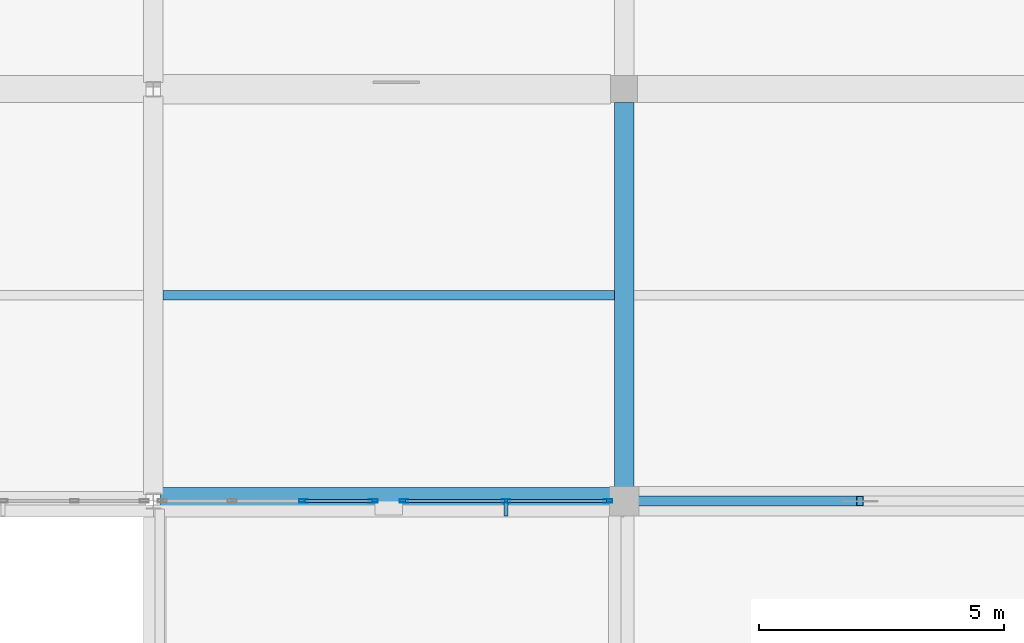
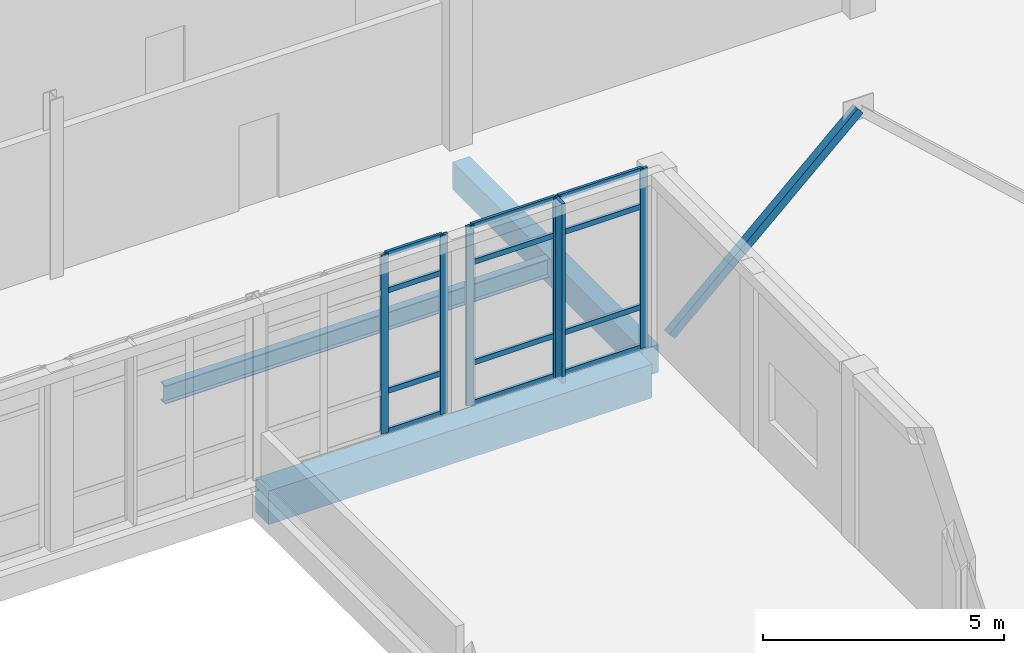
# One storey, part 46 of 88: 19 members, 3 beams, 2 elements without a shape of their own.
"""IFC4 building model written with IfcOpenShell, lengths in metres."""

from ifc_helpers import new_model, si_unit, direction, frame, origin, origin_2d, place, context, subcontext, project, spatial, rectangle, hollow_rectangle, i_section, extrude, material, layer, layer_set, material_profile, profile_set, type_object, element, aggregate, save


model = new_model("IFC4")

# Units and contexts
model_context = context("Model", 3, precision=1e-05, world=origin(), true_north=direction((0.0, 1.0)))
body_context = subcontext(model_context, "Body", "Model", "MODEL_VIEW")
ifc_project = project(units=[si_unit("LENGTHUNIT", "METRE"), si_unit("AREAUNIT", "SQUARE_METRE"), si_unit("VOLUMEUNIT", "CUBIC_METRE"), si_unit("PLANEANGLEUNIT", "RADIAN"), si_unit("MASSUNIT", "GRAM", prefix="KILO")], contexts=[model_context])

# Site, building, storey
site_placement = place(None, origin())
site = spatial("IfcSite", under=ifc_project, at=site_placement, CompositionType="ELEMENT")
building_placement = place(site_placement, origin())
building = spatial("IfcBuilding", under=site, at=building_placement, Name="Lornevale Opera House", CompositionType="ELEMENT")
storey_placement = place(building_placement, frame((0.0, 0.0, 10.199951171875)))
storey = spatial("IfcBuildingStorey", under=building, at=storey_placement, Name="L03", CompositionType="ELEMENT", Elevation=10.199951171875)

# Beams
ifc_material_1 = material(Name="Concrete 35 MPa (CSA A23.1 N)", Category="concrete")
ifc_material_profile_1 = material_profile(ifc_material_1, rectangle(XDim=0.39990234375, YDim=0.699951171875, at=origin_2d()), Name="RC400x700")
ifc_profile_set_1 = profile_set([ifc_material_profile_1], Name="Concrete 35 MPa (CSA A23.1 N)")
beam_type_1 = type_object("IfcBeamType", Name="Concrete Floor Beam 400x700", PredefinedType="USERDEFINED", material=ifc_profile_set_1)
beam_1_placement = place(storey_placement, frame((38.39990234375, 67.47509765625, -0.639892578125), z_axis=(0.0, 1.0, 0.0), x_axis=(-1.0, 0.0, 0.0)))
element("IfcBeam", 1, at=beam_1_placement, inside=storey, type_object=beam_type_1, Name="Concrete Floor Beam 400x700 2265", ObjectType="GIRDER", PredefinedType="USERDEFINED", context=body_context, shape_type="SweptSolid", body=[
    extrude(rectangle(XDim=0.39990234375, YDim=0.699951171875, at=origin_2d()), origin(), (0.0, 0.0, 1.0), 7.849853515625),
])
ifc_material_profile_2 = material_profile(ifc_material_1, rectangle(XDim=0.550048828125, YDim=0.85009765625, at=origin_2d()), Name="RC550x850")
ifc_profile_set_2 = profile_set([ifc_material_profile_2], Name="Concrete 35 MPa (CSA A23.1 N)")
beam_type_2 = type_object("IfcBeamType", Name="Concrete Primary Girder 550x850", PredefinedType="USERDEFINED", material=ifc_profile_set_2)
beam_2_placement = place(storey_placement, frame((28.947021484375, 67.199951171875, -0.71484375), z_axis=(1.0, 0.0, 0.0), x_axis=(0.0, 1.0, 0.0)))
element("IfcBeam", 2, at=beam_2_placement, inside=storey, type_object=beam_type_2, Name="Concrete Primary Girder 550x850 2167", ObjectType="GIRDER", PredefinedType="USERDEFINED", context=body_context, shape_type="SweptSolid", body=[
    extrude(rectangle(XDim=0.550048828125, YDim=0.85009765625, at=origin_2d()), origin(), (0.0, 0.0, 1.0), 9.177978515625),
])

# Curtain wall, members
ifc_material_2 = material(Name="Anodized Oxide-Green Aluminium Framing", Category="aluminium")
ifc_layer = layer(ifc_material_2, 0.175048828125)
ifc_layer_set = layer_set([ifc_layer], Name="Anodized Oxide-Green Aluminium Framing")
curtain_wall_type = type_object("IfcCurtainWallType", Name="Chamber Cloister Curtain Wall M1700", PredefinedType="NOTDEFINED", material=ifc_layer_set)
curtain_wall_1_placement = place(storey_placement, origin())
curtain_wall_1 = element("IfcCurtainWall", 3, at=curtain_wall_1_placement, inside=storey, type_object=curtain_wall_type, Name="Chamber Cloister Curtain Wall M1700 CW-124", PredefinedType="NOTDEFINED")
ifc_material_profile_3 = material_profile(ifc_material_2, hollow_rectangle(XDim=0.06494140625, YDim=0.179931640625, WallThickness=0.0048828125, at=origin_2d()), Name="ALU65x180x5")
ifc_profile_set_3 = profile_set([ifc_material_profile_3], Name="Anodized Oxide-Green Aluminium Framing")
member_type_1 = type_object("IfcMemberType", Name="Curtain Wall Mullion 65x180", PredefinedType="MULLION", material=ifc_profile_set_3)
member_1_placement = place(storey_placement, frame((38.071533203125, 67.199951171875, 0.0), z_axis=(0.0, 0.0, 1.0), x_axis=(0.0, -1.0, 0.0)))
member_1 = element("IfcMember", 4, at=member_1_placement, type_object=member_type_1, Name="Curtain Wall Mullion 65x180 CW2572", PredefinedType="MULLION", context=body_context, shape_type="SweptSolid", body=[
    extrude(hollow_rectangle(XDim=0.06494140625, YDim=0.179931640625, WallThickness=0.0048828125, at=origin_2d()), origin(), (0.0, 0.0, 1.0), 4.5400390625),
])
member_2_placement = place(storey_placement, frame((35.991943359375, 67.199951171875, 0.0), z_axis=(0.0, 0.0, 1.0), x_axis=(0.0, -1.0, 0.0)))
member_2 = element("IfcMember", 5, at=member_2_placement, type_object=member_type_1, Name="Curtain Wall Mullion 65x180 CW2573", PredefinedType="MULLION", context=body_context, shape_type="SweptSolid", body=[
    extrude(hollow_rectangle(XDim=0.06494140625, YDim=0.179931640625, WallThickness=0.0048828125, at=origin_2d()), origin(), (0.0, 0.0, 1.0), 4.5400390625),
])
member_3_placement = place(storey_placement, frame((33.91259765625, 67.199951171875, 0.0), z_axis=(0.0, 0.0, 1.0), x_axis=(0.0, -1.0, 0.0)))
member_3 = element("IfcMember", 6, at=member_3_placement, type_object=member_type_1, Name="Curtain Wall Mullion 65x180 CW2574", PredefinedType="MULLION", context=body_context, shape_type="SweptSolid", body=[
    extrude(hollow_rectangle(XDim=0.06494140625, YDim=0.179931640625, WallThickness=0.0048828125, at=origin_2d()), origin(), (0.0, 0.0, 1.0), 4.5400390625),
])

curtain_wall_2_placement = place(storey_placement, origin())
curtain_wall_2 = element("IfcCurtainWall", 7, at=curtain_wall_2_placement, inside=storey, type_object=curtain_wall_type, Name="Chamber Cloister Curtain Wall M1700 CW-125", PredefinedType="NOTDEFINED")
member_4_placement = place(storey_placement, frame((33.28759765625, 67.199951171875, 0.0), z_axis=(0.0, 0.0, 1.0), x_axis=(0.0, -1.0, 0.0)))
member_4 = element("IfcMember", 8, at=member_4_placement, type_object=member_type_1, Name="Curtain Wall Mullion 65x180 CW2589", PredefinedType="MULLION", context=body_context, shape_type="SweptSolid", body=[
    extrude(hollow_rectangle(XDim=0.06494140625, YDim=0.179931640625, WallThickness=0.0048828125, at=origin_2d()), origin(), (0.0, 0.0, 1.0), 4.5400390625),
])
member_5_placement = place(storey_placement, frame((31.863525390625, 67.199951171875, 0.0), z_axis=(0.0, 0.0, 1.0), x_axis=(0.0, -1.0, 0.0)))
member_5 = element("IfcMember", 9, at=member_5_placement, type_object=member_type_1, Name="Curtain Wall Mullion 65x180 CW2590", PredefinedType="MULLION", context=body_context, shape_type="SweptSolid", body=[
    extrude(hollow_rectangle(XDim=0.06494140625, YDim=0.179931640625, WallThickness=0.0048828125, at=origin_2d()), origin(), (0.0, 0.0, 1.0), 4.5400390625),
])

# Member
ifc_material_profile_4 = material_profile(ifc_material_2, hollow_rectangle(XDim=0.06494140625, YDim=0.135009765625, WallThickness=0.00390625, at=origin_2d()), Name="ALU65x135x4")
ifc_profile_set_4 = profile_set([ifc_material_profile_4], Name="Anodized Oxide-Green Aluminium Framing")
member_type_2 = type_object("IfcMemberType", Name="Curtain Wall Transom 65x135", PredefinedType="USERDEFINED", material=ifc_profile_set_4)
member_6_placement = place(storey_placement, frame((38.0390625, 67.199951171875, 0.032470703125), z_axis=(-1.0, 0.0, 0.0), x_axis=(0.0, -1.0, 0.0)))
member_6 = element("IfcMember", 10, at=member_6_placement, type_object=member_type_2, Name="Curtain Wall Transom 65x135 CW2575", ObjectType="TRANSOM", PredefinedType="USERDEFINED", context=body_context, shape_type="SweptSolid", body=[
    extrude(hollow_rectangle(XDim=0.06494140625, YDim=0.135009765625, WallThickness=0.00390625, at=origin_2d()), origin(), (0.0, 0.0, 1.0), 2.0146484375),
])

member_7_placement = place(storey_placement, frame((38.0390625, 67.199951171875, 1.050048828125), z_axis=(-1.0, 0.0, 0.0), x_axis=(0.0, -1.0, 0.0)))
member_7 = element("IfcMember", 11, at=member_7_placement, type_object=member_type_2, Name="Curtain Wall Transom 65x135 CW2576", ObjectType="TRANSOM", PredefinedType="USERDEFINED", context=body_context, shape_type="SweptSolid", body=[
    extrude(hollow_rectangle(XDim=0.06494140625, YDim=0.135009765625, WallThickness=0.00390625, at=origin_2d()), origin(), (0.0, 0.0, 1.0), 2.0146484375),
])

member_8_placement = place(storey_placement, frame((38.0390625, 67.199951171875, 3.590087890625), z_axis=(-1.0, 0.0, 0.0), x_axis=(0.0, -1.0, 0.0)))
member_8 = element("IfcMember", 12, at=member_8_placement, type_object=member_type_2, Name="Curtain Wall Transom 65x135 CW2577", ObjectType="TRANSOM", PredefinedType="USERDEFINED", context=body_context, shape_type="SweptSolid", body=[
    extrude(hollow_rectangle(XDim=0.06494140625, YDim=0.135009765625, WallThickness=0.00390625, at=origin_2d()), origin(), (0.0, 0.0, 1.0), 2.0146484375),
])

member_9_placement = place(storey_placement, frame((38.0390625, 67.199951171875, 4.507568359375), z_axis=(-1.0, 0.0, 0.0), x_axis=(0.0, -1.0, 0.0)))
member_9 = element("IfcMember", 13, at=member_9_placement, type_object=member_type_2, Name="Curtain Wall Transom 65x135 CW2578", ObjectType="TRANSOM", PredefinedType="USERDEFINED", context=body_context, shape_type="SweptSolid", body=[
    extrude(hollow_rectangle(XDim=0.06494140625, YDim=0.135009765625, WallThickness=0.00390625, at=origin_2d()), origin(), (0.0, 0.0, 1.0), 2.0146484375),
])

member_10_placement = place(storey_placement, frame((35.95947265625, 67.199951171875, 0.032470703125), z_axis=(-1.0, 0.0, 0.0), x_axis=(0.0, -1.0, 0.0)))
member_10 = element("IfcMember", 14, at=member_10_placement, type_object=member_type_2, Name="Curtain Wall Transom 65x135 CW2582", ObjectType="TRANSOM", PredefinedType="USERDEFINED", context=body_context, shape_type="SweptSolid", body=[
    extrude(hollow_rectangle(XDim=0.06494140625, YDim=0.135009765625, WallThickness=0.00390625, at=origin_2d()), origin(), (0.0, 0.0, 1.0), 2.014404296875),
])

member_11_placement = place(storey_placement, frame((35.95947265625, 67.199951171875, 1.050048828125), z_axis=(-1.0, 0.0, 0.0), x_axis=(0.0, -1.0, 0.0)))
member_11 = element("IfcMember", 15, at=member_11_placement, type_object=member_type_2, Name="Curtain Wall Transom 65x135 CW2583", ObjectType="TRANSOM", PredefinedType="USERDEFINED", context=body_context, shape_type="SweptSolid", body=[
    extrude(hollow_rectangle(XDim=0.06494140625, YDim=0.135009765625, WallThickness=0.00390625, at=origin_2d()), origin(), (0.0, 0.0, 1.0), 2.014404296875),
])

member_12_placement = place(storey_placement, frame((35.95947265625, 67.199951171875, 3.590087890625), z_axis=(-1.0, 0.0, 0.0), x_axis=(0.0, -1.0, 0.0)))
member_12 = element("IfcMember", 16, at=member_12_placement, type_object=member_type_2, Name="Curtain Wall Transom 65x135 CW2584", ObjectType="TRANSOM", PredefinedType="USERDEFINED", context=body_context, shape_type="SweptSolid", body=[
    extrude(hollow_rectangle(XDim=0.06494140625, YDim=0.135009765625, WallThickness=0.00390625, at=origin_2d()), origin(), (0.0, 0.0, 1.0), 2.014404296875),
])

member_13_placement = place(storey_placement, frame((35.95947265625, 67.199951171875, 4.507568359375), z_axis=(-1.0, 0.0, 0.0), x_axis=(0.0, -1.0, 0.0)))
member_13 = element("IfcMember", 17, at=member_13_placement, type_object=member_type_2, Name="Curtain Wall Transom 65x135 CW2585", ObjectType="TRANSOM", PredefinedType="USERDEFINED", context=body_context, shape_type="SweptSolid", body=[
    extrude(hollow_rectangle(XDim=0.06494140625, YDim=0.135009765625, WallThickness=0.00390625, at=origin_2d()), origin(), (0.0, 0.0, 1.0), 2.014404296875),
])

member_14_placement = place(storey_placement, frame((33.2548828125, 67.199951171875, 0.032470703125), z_axis=(-1.0, 0.0, 0.0), x_axis=(0.0, -1.0, 0.0)))
member_14 = element("IfcMember", 18, at=member_14_placement, type_object=member_type_2, Name="Curtain Wall Transom 65x135 CW2593", ObjectType="TRANSOM", PredefinedType="USERDEFINED", context=body_context, shape_type="SweptSolid", body=[
    extrude(hollow_rectangle(XDim=0.06494140625, YDim=0.135009765625, WallThickness=0.00390625, at=origin_2d()), origin(), (0.0, 0.0, 1.0), 1.35888671875),
])

member_15_placement = place(storey_placement, frame((33.2548828125, 67.199951171875, 1.050048828125), z_axis=(-1.0, 0.0, 0.0), x_axis=(0.0, -1.0, 0.0)))
member_15 = element("IfcMember", 19, at=member_15_placement, type_object=member_type_2, Name="Curtain Wall Transom 65x135 CW2594", ObjectType="TRANSOM", PredefinedType="USERDEFINED", context=body_context, shape_type="SweptSolid", body=[
    extrude(hollow_rectangle(XDim=0.06494140625, YDim=0.135009765625, WallThickness=0.00390625, at=origin_2d()), origin(), (0.0, 0.0, 1.0), 1.35888671875),
])

member_16_placement = place(storey_placement, frame((33.2548828125, 67.199951171875, 3.590087890625), z_axis=(-1.0, 0.0, 0.0), x_axis=(0.0, -1.0, 0.0)))
member_16 = element("IfcMember", 20, at=member_16_placement, type_object=member_type_2, Name="Curtain Wall Transom 65x135 CW2595", ObjectType="TRANSOM", PredefinedType="USERDEFINED", context=body_context, shape_type="SweptSolid", body=[
    extrude(hollow_rectangle(XDim=0.06494140625, YDim=0.135009765625, WallThickness=0.00390625, at=origin_2d()), origin(), (0.0, 0.0, 1.0), 1.35888671875),
])

member_17_placement = place(storey_placement, frame((33.2548828125, 67.199951171875, 4.507568359375), z_axis=(-1.0, 0.0, 0.0), x_axis=(0.0, -1.0, 0.0)))
member_17 = element("IfcMember", 21, at=member_17_placement, type_object=member_type_2, Name="Curtain Wall Transom 65x135 CW2596", ObjectType="TRANSOM", PredefinedType="USERDEFINED", context=body_context, shape_type="SweptSolid", body=[
    extrude(hollow_rectangle(XDim=0.06494140625, YDim=0.135009765625, WallThickness=0.00390625, at=origin_2d()), origin(), (0.0, 0.0, 1.0), 1.35888671875),
])

aggregate(curtain_wall_2, [member_4, member_5, member_14, member_15, member_16, member_17])

ifc_material_3 = material(Name="Architectural Bronze Solar Louvre Alloy", Category="metal")
ifc_material_profile_5 = material_profile(ifc_material_3, rectangle(XDim=0.080078125, YDim=0.360107421875, at=origin_2d()), Name="FIN80x360")
ifc_profile_set_5 = profile_set([ifc_material_profile_5], Name="Architectural Bronze Solar Louvre Alloy")
member_type_3 = type_object("IfcMemberType", Name="Solar Shading Fin 80x360", PredefinedType="USERDEFINED", material=ifc_profile_set_5)
member_18_placement = place(storey_placement, frame((35.991943359375, 67.073974609375, 0.0), z_axis=(0.0, 0.0, 1.0), x_axis=(-1.0, 0.0, 0.0)))
member_18 = element("IfcMember", 22, at=member_18_placement, type_object=member_type_3, Name="Solar Shading Fin 80x360 FIN0050", ObjectType="SOLAR FIN", PredefinedType="USERDEFINED", context=body_context, shape_type="SweptSolid", body=[
    extrude(rectangle(XDim=0.080078125, YDim=0.360107421875, at=origin_2d()), origin(), (0.0, 0.0, 1.0), 4.5400390625),
])

aggregate(curtain_wall_1, [member_1, member_2, member_3, member_6, member_7, member_8, member_9, member_10, member_11, member_12, member_13, member_18])

# Beam
ifc_material_4 = material(Name="Structural Steel CSA G40.21 Grade 350W (350 MPa)", Category="steel")
ifc_material_profile_6 = material_profile(ifc_material_4, i_section(OverallWidth=0.19189453125, OverallDepth=0.462890625, WebThickness=0.010498046875, FlangeThickness=0.017578125, at=origin_2d()), Name="W460x89")
ifc_profile_set_6 = profile_set([ifc_material_profile_6], Name="Structural Steel CSA G40.21 Grade 350W (350 MPa)")
beam_type_3 = type_object("IfcBeamType", Name="Steel Floor Joist W460x89", PredefinedType="JOIST", material=ifc_profile_set_6)
beam_3_placement = place(storey_placement, frame((29.0, 71.39990234375, -0.536376953125), z_axis=(1.0, 0.0, 0.0), x_axis=(0.0, 1.0, 0.0)))
element("IfcBeam", 23, at=beam_3_placement, inside=storey, type_object=beam_type_3, Name="Steel Floor Joist W460x89 2385", PredefinedType="JOIST", context=body_context, shape_type="SweptSolid", body=[
    extrude(i_section(OverallWidth=0.19189453125, OverallDepth=0.462890625, WebThickness=0.010498046875, FlangeThickness=0.017578125, at=origin_2d()), origin(), (0.0, 0.0, 1.0), 9.199951171875),
])

# Member
ifc_material_profile_7 = material_profile(ifc_material_4, hollow_rectangle(XDim=0.202880859375, YDim=0.202880859375, WallThickness=0.0126953125, at=origin_2d()), Name="HSS203x203x13")
ifc_profile_set_7 = profile_set([ifc_material_profile_7], Name="Structural Steel CSA G40.21 Grade 350W (350 MPa)")
member_type_4 = type_object("IfcMemberType", Name="Workshop Lateral Brace HSS203x203x13", PredefinedType="BRACE", material=ifc_profile_set_7)
member_19_placement = place(storey_placement, frame((38.699951171875, 67.199951171875, 0.10009765625), z_axis=(0.737685714873, 0.0, 0.675144270562), x_axis=(0.0, 1.0, 0.0)))
element("IfcMember", 24, at=member_19_placement, inside=storey, type_object=member_type_4, Name="Workshop Lateral Brace HSS203x203x13 0134", PredefinedType="BRACE", context=body_context, shape_type="SweptSolid", body=[
    extrude(hollow_rectangle(XDim=0.202880859375, YDim=0.202880859375, WallThickness=0.0126953125, at=origin_2d()), origin(), (0.0, 0.0, 1.0), 6.116943359375),
])

save(model, "model.ifc")
